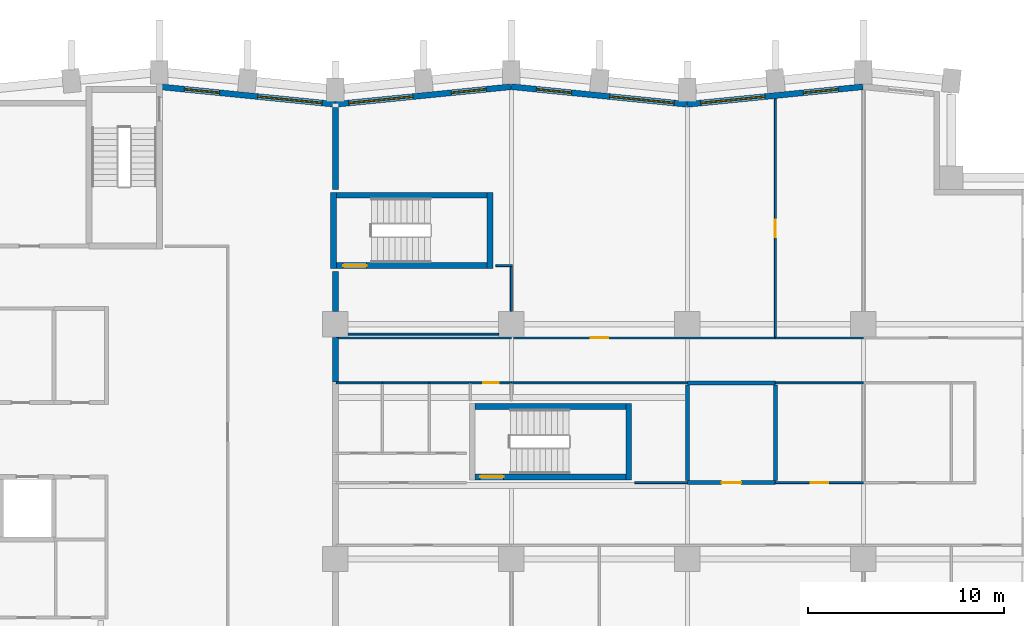
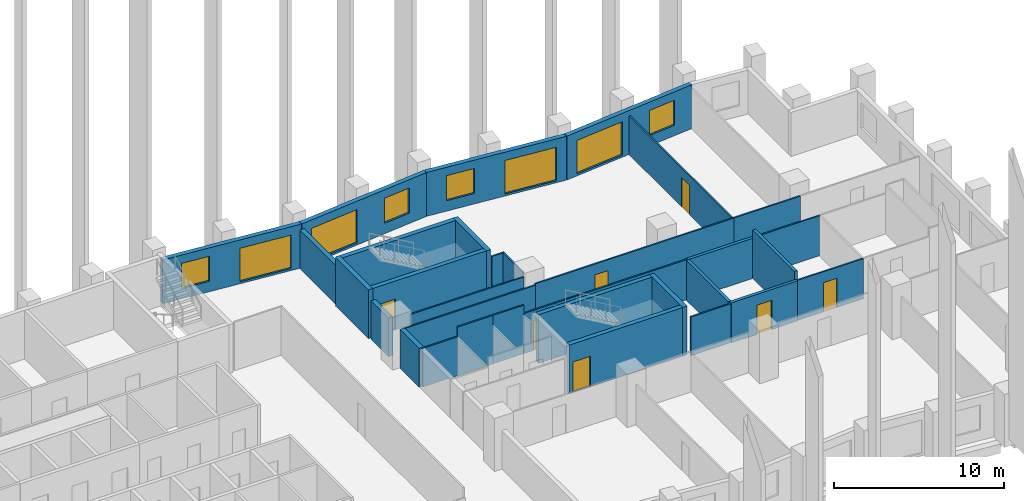
# One storey, part 8 of 12: 33 walls, 8 windows, 7 doors, 15 openings.
"""IFC4 building model written with IfcOpenShell, lengths in metres."""

from ifc_helpers import new_model, si_unit, direction, frame, frame_2d, origin, place, context, subcontext, project, spatial, rectangle, extrude, material, layer, layer_set, type_object, element, fill, save


model = new_model("IFC4")

# Units and contexts
model_context = context("Model", 3, precision=1e-05, world=origin(), true_north=direction((0.0, 1.0)))
body_context = subcontext(model_context, "Body", "Model", "MODEL_VIEW")
ifc_project = project(units=[si_unit("LENGTHUNIT", "METRE"), si_unit("AREAUNIT", "SQUARE_METRE"), si_unit("VOLUMEUNIT", "CUBIC_METRE"), si_unit("PLANEANGLEUNIT", "RADIAN"), si_unit("MASSUNIT", "GRAM", prefix="KILO")], contexts=[model_context])

# Site, building, storey
site_placement = place(None, origin())
site = spatial("IfcSite", under=ifc_project, at=site_placement, CompositionType="ELEMENT")
building_placement = place(site_placement, origin())
building = spatial("IfcBuilding", under=site, at=building_placement, Name="Brondeck Convention Tower", CompositionType="ELEMENT")
storey_placement = place(building_placement, frame((0.0, 0.0, 88.5)))
storey = spatial("IfcBuildingStorey", under=building, at=storey_placement, Name="L20", CompositionType="ELEMENT", Elevation=88.5)

# Walls
ifc_material_1 = material(Name="Concrete compartment wall C30/37", Category="concrete")
ifc_layer_1 = layer(ifc_material_1, 0.300048828125)
ifc_layer_set_1 = layer_set([ifc_layer_1], Name="Compartment wall 300")
wall_type_1 = type_object("IfcWallType", Name="Compartment wall 300", PredefinedType="PARTITIONING", material=ifc_layer_set_1)
wall_1_placement = place(storey_placement, frame((36.0, 48.050048828125, 0.0), z_axis=(0.0, 0.0, 1.0), x_axis=(0.0, 1.0, 0.0)))
element("IfcWall", 1, at=wall_1_placement, inside=storey, type_object=wall_type_1, Name="FLR-L20-W068", PredefinedType="PARTITIONING", context=body_context, shape_type="SweptSolid", body=[
    extrude(rectangle(XDim=2.280029296875, YDim=0.300048828125, at=frame_2d((1.14013671875, 0.0))), origin(), (0.0, 0.0, 1.0), 2.780029296875),
])
wall_2_placement = place(storey_placement, frame((36.0, 51.655029296875, 0.0), z_axis=(0.0, 0.0, 1.0), x_axis=(0.0, 1.0, 0.0)))
element("IfcWall", 2, at=wall_2_placement, inside=storey, type_object=wall_type_1, Name="FLR-L20-W074", PredefinedType="PARTITIONING", context=body_context, shape_type="SweptSolid", body=[
    extrude(rectangle(XDim=2.044921875, YDim=0.300048828125, at=frame_2d((1.0224609375, 0.0))), origin(), (0.0, 0.0, 1.0), 2.780029296875),
])
wall_3_placement = place(storey_placement, frame((36.0, 57.89990234375, 0.0), z_axis=(0.0, 0.0, 1.0), x_axis=(0.0, 1.0, 0.0)))
element("IfcWall", 3, at=wall_3_placement, inside=storey, type_object=wall_type_1, Name="FLR-L20-W079", PredefinedType="PARTITIONING", context=body_context, shape_type="SweptSolid", body=[
    extrude(rectangle(XDim=4.175537109375, YDim=0.300048828125, at=frame_2d((2.087890625, 0.0))), origin(), (0.0, 0.0, 1.0), 2.780029296875),
])

# Wall, openings, windows
ifc_material_2 = material(Name="Precast concrete C50/60 bronze finish", Category="concrete")
ifc_layer_2 = layer(ifc_material_2, 0.070068359375, Name="Bronze precast facing")
ifc_material_3 = material(Name="Mineral wool")
ifc_layer_3 = layer(ifc_material_3, 0.159912109375, Name="Insulation")
ifc_material_4 = material(Name="Concrete C35/45", Category="concrete")
ifc_layer_4 = layer(ifc_material_4, 0.070068359375, Name="Backing")
ifc_layer_set_2 = layer_set([ifc_layer_2, ifc_layer_3, ifc_layer_4], Name="External infill wall, precast concrete C50/60 bronze facing")
wall_type_2 = type_object("IfcWallType", Name="External infill wall, precast concrete C50/60 bronze facing", PredefinedType="SOLIDWALL", material=ifc_layer_set_2)
wall_4_placement = place(storey_placement, frame((53.985107421875, 62.244873046875, 0.0), z_axis=(0.0, 0.0, 1.0), x_axis=(0.995037993253, 0.099495688264, 0.0)))
wall_4 = element("IfcWall", 4, at=wall_4_placement, inside=storey, type_object=wall_type_2, Name="ENV-EW-L20-P0-A-N-13", PredefinedType="SOLIDWALL", context=body_context, shape_type="SweptSolid", body=[
    extrude(rectangle(XDim=9.030029296875, YDim=0.300048828125, at=frame_2d((4.51513671875, 0.0))), origin(), (0.0, 0.0, 1.0), 3.14990234375),
])
opening_1_placement = place(wall_4_placement, frame((0.701171875, 0.0, 0.14990234375)))
opening_1 = element("IfcOpeningElement", 5, at=opening_1_placement, cuts=wall_4, Name="Opening W9", PredefinedType="OPENING", context=body_context, shape_type="SweptSolid", body=[
    extrude(rectangle(XDim=3.300048828125, YDim=2.39990234375, at=frame_2d((1.64990234375, 1.199951171875))), frame((0.0, 0.159912109375, 0.0), z_axis=(0.0, -1.0, 0.0), x_axis=(1.0, 0.0, 0.0)), (0.0, 0.0, 1.0), 0.320068359375),
])
opening_2_placement = place(wall_4_placement, frame((5.9736328125, 0.0, 0.75)))
opening_2 = element("IfcOpeningElement", 6, at=opening_2_placement, cuts=wall_4, Name="Opening W10", PredefinedType="OPENING", context=body_context, shape_type="SweptSolid", body=[
    extrude(rectangle(XDim=1.800048828125, YDim=1.800048828125, at=frame_2d((0.89990234375, 0.89990234375))), frame((0.0, 0.159912109375, 0.0), z_axis=(0.0, -1.0, 0.0), x_axis=(1.0, 0.0, 0.0)), (0.0, 0.0, 1.0), 0.320068359375),
])
ifc_material_5 = material(Name="Bronze tinted double glazing", Category="glass")
window_type_1 = type_object("IfcWindowType", Name="Glazed flute window, bronze tinted", PartitioningType="SINGLE_PANEL", PredefinedType="WINDOW", material=ifc_material_5)
window_1_placement = place(opening_1_placement, origin())
window_1 = element("IfcWindow", 7, at=window_1_placement, inside=storey, type_object=window_type_1, Name="ENV-WN-L20-P0-A-N-12", OverallHeight=2.39990234375, OverallWidth=3.300048828125, PartitioningType="SINGLE_PANEL", PredefinedType="WINDOW", context=body_context, shape_type="SweptSolid", body=[
    extrude(rectangle(XDim=3.300048828125, YDim=2.39990234375, at=frame_2d((1.64990234375, 1.199951171875))), frame((0.0, 0.030029296875, 0.0), z_axis=(0.0, -1.0, 0.0), x_axis=(1.0, 0.0, 0.0)), (0.0, 0.0, 1.0), 0.06005859375),
])
fill(opening_1, window_1)
window_type_2 = type_object("IfcWindowType", Name="Punched window, bronze tinted", PartitioningType="SINGLE_PANEL", PredefinedType="WINDOW", material=ifc_material_5)
window_2_placement = place(opening_2_placement, origin())
window_2 = element("IfcWindow", 8, at=window_2_placement, inside=storey, type_object=window_type_2, Name="ENV-WN-L20-P0-A-N-13", OverallHeight=1.800048828125, OverallWidth=1.800048828125, PartitioningType="SINGLE_PANEL", PredefinedType="WINDOW", context=body_context, shape_type="SweptSolid", body=[
    extrude(rectangle(XDim=1.800048828125, YDim=1.800048828125, at=frame_2d((0.89990234375, 0.89990234375))), frame((0.0, 0.030029296875, 0.0), z_axis=(0.0, -1.0, 0.0), x_axis=(1.0, 0.0, 0.0)), (0.0, 0.0, 1.0), 0.06005859375),
])
fill(opening_2, window_2)

wall_5_placement = place(storey_placement, frame((44.985107421875, 63.147705078125, 0.0), z_axis=(0.0, 0.0, 1.0), x_axis=(0.995037993253, -0.099495688264, 0.0)))
wall_5 = element("IfcWall", 9, at=wall_5_placement, inside=storey, type_object=wall_type_2, Name="ENV-EW-L20-P0-A-N-11", PredefinedType="SOLIDWALL", context=body_context, shape_type="SweptSolid", body=[
    extrude(rectangle(XDim=9.030029296875, YDim=0.300048828125, at=frame_2d((4.51513671875, 0.0))), origin(), (0.0, 0.0, 1.0), 3.14990234375),
])
opening_3_placement = place(wall_5_placement, frame((1.30126953125, 0.0, 0.75)))
opening_3 = element("IfcOpeningElement", 10, at=opening_3_placement, cuts=wall_5, Name="Opening W10", PredefinedType="OPENING", context=body_context, shape_type="SweptSolid", body=[
    extrude(rectangle(XDim=1.800048828125, YDim=1.800048828125, at=frame_2d((0.89990234375, 0.89990234375))), frame((0.0, 0.159912109375, 0.0), z_axis=(0.0, -1.0, 0.0), x_axis=(1.0, 0.0, 0.0)), (0.0, 0.0, 1.0), 0.320068359375),
])
opening_4_placement = place(wall_5_placement, frame((5.073486328125, 0.0, 0.14990234375)))
opening_4 = element("IfcOpeningElement", 11, at=opening_4_placement, cuts=wall_5, Name="Opening W9", PredefinedType="OPENING", context=body_context, shape_type="SweptSolid", body=[
    extrude(rectangle(XDim=3.300048828125, YDim=2.39990234375, at=frame_2d((1.64990234375, 1.199951171875))), frame((0.0, 0.159912109375, 0.0), z_axis=(0.0, -1.0, 0.0), x_axis=(1.0, 0.0, 0.0)), (0.0, 0.0, 1.0), 0.320068359375),
])
window_3_placement = place(opening_4_placement, origin())
window_3 = element("IfcWindow", 12, at=window_3_placement, inside=storey, type_object=window_type_1, Name="ENV-WN-L20-P0-A-N-11", OverallHeight=2.39990234375, OverallWidth=3.300048828125, PartitioningType="SINGLE_PANEL", PredefinedType="WINDOW", context=body_context, shape_type="SweptSolid", body=[
    extrude(rectangle(XDim=3.300048828125, YDim=2.39990234375, at=frame_2d((1.64990234375, 1.199951171875))), frame((0.0, 0.030029296875, 0.0), z_axis=(0.0, -1.0, 0.0), x_axis=(1.0, 0.0, 0.0)), (0.0, 0.0, 1.0), 0.06005859375),
])
fill(opening_4, window_3)
window_4_placement = place(opening_3_placement, origin())
window_4 = element("IfcWindow", 13, at=window_4_placement, inside=storey, type_object=window_type_2, Name="ENV-WN-L20-P0-A-N-10", OverallHeight=1.800048828125, OverallWidth=1.800048828125, PartitioningType="SINGLE_PANEL", PredefinedType="WINDOW", context=body_context, shape_type="SweptSolid", body=[
    extrude(rectangle(XDim=1.800048828125, YDim=1.800048828125, at=frame_2d((0.89990234375, 0.89990234375))), frame((0.0, 0.030029296875, 0.0), z_axis=(0.0, -1.0, 0.0), x_axis=(1.0, 0.0, 0.0)), (0.0, 0.0, 1.0), 0.06005859375),
])
fill(opening_3, window_4)

wall_6_placement = place(storey_placement, frame((35.985107421875, 62.244873046875, 0.0), z_axis=(0.0, 0.0, 1.0), x_axis=(0.995037993253, 0.099495688264, 0.0)))
wall_6 = element("IfcWall", 14, at=wall_6_placement, inside=storey, type_object=wall_type_2, Name="ENV-EW-L20-P0-A-N-09", PredefinedType="SOLIDWALL", context=body_context, shape_type="SweptSolid", body=[
    extrude(rectangle(XDim=9.030029296875, YDim=0.300048828125, at=frame_2d((4.51513671875, 0.0))), origin(), (0.0, 0.0, 1.0), 3.14990234375),
])
opening_5_placement = place(wall_6_placement, frame((0.701171875, 0.0, 0.14990234375)))
opening_5 = element("IfcOpeningElement", 15, at=opening_5_placement, cuts=wall_6, Name="Opening W9", PredefinedType="OPENING", context=body_context, shape_type="SweptSolid", body=[
    extrude(rectangle(XDim=3.300048828125, YDim=2.39990234375, at=frame_2d((1.64990234375, 1.199951171875))), frame((0.0, 0.159912109375, 0.0), z_axis=(0.0, -1.0, 0.0), x_axis=(1.0, 0.0, 0.0)), (0.0, 0.0, 1.0), 0.320068359375),
])
opening_6_placement = place(wall_6_placement, frame((5.9736328125, 0.0, 0.75)))
opening_6 = element("IfcOpeningElement", 16, at=opening_6_placement, cuts=wall_6, Name="Opening W10", PredefinedType="OPENING", context=body_context, shape_type="SweptSolid", body=[
    extrude(rectangle(XDim=1.800048828125, YDim=1.800048828125, at=frame_2d((0.89990234375, 0.89990234375))), frame((0.0, 0.159912109375, 0.0), z_axis=(0.0, -1.0, 0.0), x_axis=(1.0, 0.0, 0.0)), (0.0, 0.0, 1.0), 0.320068359375),
])
window_5_placement = place(opening_5_placement, origin())
window_5 = element("IfcWindow", 17, at=window_5_placement, inside=storey, type_object=window_type_1, Name="ENV-WN-L20-P0-A-N-08", OverallHeight=2.39990234375, OverallWidth=3.300048828125, PartitioningType="SINGLE_PANEL", PredefinedType="WINDOW", context=body_context, shape_type="SweptSolid", body=[
    extrude(rectangle(XDim=3.300048828125, YDim=2.39990234375, at=frame_2d((1.64990234375, 1.199951171875))), frame((0.0, 0.030029296875, 0.0), z_axis=(0.0, -1.0, 0.0), x_axis=(1.0, 0.0, 0.0)), (0.0, 0.0, 1.0), 0.06005859375),
])
fill(opening_5, window_5)
window_6_placement = place(opening_6_placement, origin())
window_6 = element("IfcWindow", 18, at=window_6_placement, inside=storey, type_object=window_type_2, Name="ENV-WN-L20-P0-A-N-09", OverallHeight=1.800048828125, OverallWidth=1.800048828125, PartitioningType="SINGLE_PANEL", PredefinedType="WINDOW", context=body_context, shape_type="SweptSolid", body=[
    extrude(rectangle(XDim=1.800048828125, YDim=1.800048828125, at=frame_2d((0.89990234375, 0.89990234375))), frame((0.0, 0.030029296875, 0.0), z_axis=(0.0, -1.0, 0.0), x_axis=(1.0, 0.0, 0.0)), (0.0, 0.0, 1.0), 0.06005859375),
])
fill(opening_6, window_6)

wall_7_placement = place(storey_placement, frame((27.07470703125, 63.138916015625, 0.0), z_axis=(0.0, 0.0, 1.0), x_axis=(0.995036108601, -0.099514534519, 0.0)))
wall_7 = element("IfcWall", 19, at=wall_7_placement, inside=storey, type_object=wall_type_2, Name="ENV-EW-L20-P0-A-N-07", PredefinedType="SOLIDWALL", context=body_context, shape_type="SweptSolid", body=[
    extrude(rectangle(XDim=8.93994140625, YDim=0.300048828125, at=frame_2d((4.469970703125, 0.0))), origin(), (0.0, 0.0, 1.0), 3.14990234375),
])
opening_7_placement = place(wall_7_placement, frame((1.211181640625, 0.0, 0.75)))
opening_7 = element("IfcOpeningElement", 20, at=opening_7_placement, cuts=wall_7, Name="Opening W10", PredefinedType="OPENING", context=body_context, shape_type="SweptSolid", body=[
    extrude(rectangle(XDim=1.800048828125, YDim=1.800048828125, at=frame_2d((0.89990234375, 0.89990234375))), frame((0.0, 0.159912109375, 0.0), z_axis=(0.0, -1.0, 0.0), x_axis=(1.0, 0.0, 0.0)), (0.0, 0.0, 1.0), 0.320068359375),
])
opening_8_placement = place(wall_7_placement, frame((4.983642578125, 0.0, 0.14990234375)))
opening_8 = element("IfcOpeningElement", 21, at=opening_8_placement, cuts=wall_7, Name="Opening W9", PredefinedType="OPENING", context=body_context, shape_type="SweptSolid", body=[
    extrude(rectangle(XDim=3.300048828125, YDim=2.39990234375, at=frame_2d((1.64990234375, 1.199951171875))), frame((0.0, 0.159912109375, 0.0), z_axis=(0.0, -1.0, 0.0), x_axis=(1.0, 0.0, 0.0)), (0.0, 0.0, 1.0), 0.320068359375),
])
window_7_placement = place(opening_8_placement, origin())
window_7 = element("IfcWindow", 22, at=window_7_placement, inside=storey, type_object=window_type_1, Name="ENV-WN-L20-P0-A-N-07", OverallHeight=2.39990234375, OverallWidth=3.300048828125, PartitioningType="SINGLE_PANEL", PredefinedType="WINDOW", context=body_context, shape_type="SweptSolid", body=[
    extrude(rectangle(XDim=3.300048828125, YDim=2.39990234375, at=frame_2d((1.64990234375, 1.199951171875))), frame((0.0, 0.030029296875, 0.0), z_axis=(0.0, -1.0, 0.0), x_axis=(1.0, 0.0, 0.0)), (0.0, 0.0, 1.0), 0.06005859375),
])
fill(opening_8, window_7)
window_8_placement = place(opening_7_placement, origin())
window_8 = element("IfcWindow", 23, at=window_8_placement, inside=storey, type_object=window_type_2, Name="ENV-WN-L20-P0-A-N-06", OverallHeight=1.800048828125, OverallWidth=1.800048828125, PartitioningType="SINGLE_PANEL", PredefinedType="WINDOW", context=body_context, shape_type="SweptSolid", body=[
    extrude(rectangle(XDim=1.800048828125, YDim=1.800048828125, at=frame_2d((0.89990234375, 0.89990234375))), frame((0.0, 0.030029296875, 0.0), z_axis=(0.0, -1.0, 0.0), x_axis=(1.0, 0.0, 0.0)), (0.0, 0.0, 1.0), 0.06005859375),
])
fill(opening_7, window_8)

# Wall, opening, door
ifc_material_6 = material(Name="Concrete block wall C16/20", Category="concrete")
ifc_layer_5 = layer(ifc_material_6, 0.199951171875)
ifc_layer_set_3 = layer_set([ifc_layer_5], Name="Plant room wall 200")
wall_type_3 = type_object("IfcWallType", Name="Plant room wall 200", PredefinedType="PARTITIONING", material=ifc_layer_set_3)
wall_8_placement = place(storey_placement, frame((54.0, 42.89990234375, 0.0), z_axis=(0.0, 0.0, 1.0), x_axis=(1.0, 0.0, 0.0)))
wall_8 = element("IfcWall", 24, at=wall_8_placement, inside=storey, type_object=wall_type_3, Name="FLR-L20-W041", PredefinedType="PARTITIONING", context=body_context, shape_type="SweptSolid", body=[
    extrude(rectangle(XDim=4.5, YDim=0.199951171875, at=frame_2d((2.25, 0.0))), origin(), (0.0, 0.0, 1.0), 2.8798828125),
])
opening_9_placement = place(wall_8_placement, frame((1.75, 0.0, 0.0)))
opening_9 = element("IfcOpeningElement", 25, at=opening_9_placement, cuts=wall_8, Name="Opening OF-A-007", PredefinedType="OPENING", context=body_context, shape_type="SweptSolid", body=[
    extrude(rectangle(XDim=1.0, YDim=2.10009765625, at=frame_2d((0.5, 1.050048828125))), frame((0.0, 0.10986328125, 0.0), z_axis=(0.0, -1.0, 0.0), x_axis=(1.0, 0.0, 0.0)), (0.0, 0.0, 1.0), 0.219970703125),
])
ifc_material_7 = material(Name="Steel fire door leaf", Category="steel")
door_type_1 = type_object("IfcDoorType", Name="Plant room door 1000", OperationType="NOTDEFINED", PredefinedType="DOOR", material=ifc_material_7)
door_1_placement = place(opening_9_placement, origin())
door_1 = element("IfcDoor", 26, at=door_1_placement, inside=storey, type_object=door_type_1, Name="Door OF-A-007", OperationType="SINGLE_SWING_RIGHT", OverallHeight=2.10009765625, OverallWidth=1.0, PredefinedType="DOOR", context=body_context, shape_type="SweptSolid", body=[
    extrude(rectangle(XDim=1.0, YDim=2.10009765625, at=frame_2d((0.5, 1.050048828125))), frame((0.0, 0.02490234375, 0.0), z_axis=(0.0, -1.0, 0.0), x_axis=(1.0, 0.0, 0.0)), (0.0, 0.0, 1.0), 0.050048828125),
])
fill(opening_9, door_1)

# Walls
wall_9_placement = place(storey_placement, frame((54.0, 43.0, 0.0), z_axis=(0.0, 0.0, 1.0), x_axis=(0.0, 1.0, 0.0)))
element("IfcWall", 27, at=wall_9_placement, inside=storey, type_object=wall_type_3, Name="FLR-L20-W047", PredefinedType="PARTITIONING", context=body_context, shape_type="SweptSolid", body=[
    extrude(rectangle(XDim=4.89990234375, YDim=0.199951171875, at=frame_2d((2.449951171875, 0.0))), origin(), (0.0, 0.0, 1.0), 2.8798828125),
])
wall_10_placement = place(storey_placement, frame((58.5, 47.89990234375, 0.0), z_axis=(0.0, 0.0, 1.0), x_axis=(0.0, -1.0, 0.0)))
element("IfcWall", 28, at=wall_10_placement, inside=storey, type_object=wall_type_3, Name="FLR-L20-W052", PredefinedType="PARTITIONING", context=body_context, shape_type="SweptSolid", body=[
    extrude(rectangle(XDim=4.89990234375, YDim=0.199951171875, at=frame_2d((2.449951171875, 0.0))), origin(), (0.0, 0.0, 1.0), 3.47998046875),
])
wall_11_placement = place(storey_placement, frame((58.5, 48.0, 0.0), z_axis=(0.0, 0.0, 1.0), x_axis=(-1.0, 0.0, 0.0)))
element("IfcWall", 29, at=wall_11_placement, inside=storey, type_object=wall_type_3, Name="FLR-L20-W064", PredefinedType="PARTITIONING", context=body_context, shape_type="SweptSolid", body=[
    extrude(rectangle(XDim=4.5, YDim=0.199951171875, at=frame_2d((2.25, 0.0))), origin(), (0.0, 0.0, 1.0), 2.8798828125),
])
ifc_material_8 = material(Name="Gypsum board partition on steel studs", Category="steel")
ifc_layer_6 = layer(ifc_material_8, 0.10009765625)
ifc_layer_set_4 = layer_set([ifc_layer_6], Name="Room partition 100")
wall_type_4 = type_object("IfcWallType", Name="Room partition 100", PredefinedType="PARTITIONING", material=ifc_layer_set_4)
wall_12_placement = place(storey_placement, frame((51.300048828125, 42.89990234375, 0.0), z_axis=(0.0, 0.0, 1.0), x_axis=(1.0, 0.0, 0.0)))
element("IfcWall", 30, at=wall_12_placement, inside=storey, type_object=wall_type_4, Name="FLR-L20-W040", PredefinedType="PARTITIONING", context=body_context, shape_type="SweptSolid", body=[
    extrude(rectangle(XDim=2.699951171875, YDim=0.10009765625, at=frame_2d((1.35009765625, 0.0))), origin(), (0.0, 0.0, 1.0), 2.780029296875),
])

# Wall, opening, door
wall_13_placement = place(storey_placement, frame((58.5, 42.89990234375, 0.0), z_axis=(0.0, 0.0, 1.0), x_axis=(1.0, 0.0, 0.0)))
wall_13 = element("IfcWall", 31, at=wall_13_placement, inside=storey, type_object=wall_type_4, Name="FLR-L20-W042", PredefinedType="PARTITIONING", context=body_context, shape_type="SweptSolid", body=[
    extrude(rectangle(XDim=4.5, YDim=0.10009765625, at=frame_2d((2.25, 0.0))), origin(), (0.0, 0.0, 1.0), 2.8798828125),
])
opening_10_placement = place(wall_13_placement, frame((1.800048828125, 0.0, 0.0)))
opening_10 = element("IfcOpeningElement", 32, at=opening_10_placement, cuts=wall_13, Name="Opening OF-A-008", PredefinedType="OPENING", context=body_context, shape_type="SweptSolid", body=[
    extrude(rectangle(XDim=0.89990234375, YDim=2.10009765625, at=frame_2d((0.449951171875, 1.050048828125))), frame((0.0, 0.06005859375, 0.0), z_axis=(0.0, -1.0, 0.0), x_axis=(1.0, 0.0, 0.0)), (0.0, 0.0, 1.0), 0.1201171875),
])
ifc_material_9 = material(Name="Solid timber door leaf", Category="wood")
door_type_2 = type_object("IfcDoorType", Name="Single door 900", OperationType="NOTDEFINED", PredefinedType="DOOR", material=ifc_material_9)
door_2_placement = place(opening_10_placement, origin())
door_2 = element("IfcDoor", 33, at=door_2_placement, inside=storey, type_object=door_type_2, Name="Door OF-A-008", OperationType="SINGLE_SWING_LEFT", OverallHeight=2.10009765625, OverallWidth=0.89990234375, PredefinedType="DOOR", context=body_context, shape_type="SweptSolid", body=[
    extrude(rectangle(XDim=0.89990234375, YDim=2.10009765625, at=frame_2d((0.449951171875, 1.050048828125))), frame((0.0, 0.02490234375, 0.0), z_axis=(0.0, -1.0, 0.0), x_axis=(1.0, 0.0, 0.0)), (0.0, 0.0, 1.0), 0.050048828125),
])
fill(opening_10, door_2)

# Walls
wall_14_placement = place(storey_placement, frame((38.39990234375, 48.0, 0.0), z_axis=(0.0, 0.0, 1.0), x_axis=(-1.0, 0.0, 0.0)))
element("IfcWall", 34, at=wall_14_placement, inside=storey, type_object=wall_type_4, Name="FLR-L20-W059", PredefinedType="PARTITIONING", context=body_context, shape_type="SweptSolid", body=[
    extrude(rectangle(XDim=2.349853515625, YDim=0.10009765625, at=frame_2d((1.1748046875, 0.0))), origin(), (0.0, 0.0, 1.0), 2.780029296875),
])
wall_15_placement = place(storey_placement, frame((40.800048828125, 48.0, 0.0), z_axis=(0.0, 0.0, 1.0), x_axis=(-1.0, 0.0, 0.0)))
element("IfcWall", 35, at=wall_15_placement, inside=storey, type_object=wall_type_4, Name="FLR-L20-W060", PredefinedType="PARTITIONING", context=body_context, shape_type="SweptSolid", body=[
    extrude(rectangle(XDim=2.400146484375, YDim=0.10009765625, at=frame_2d((1.2001953125, 0.0))), origin(), (0.0, 0.0, 1.0), 3.47998046875),
])
wall_16_placement = place(storey_placement, frame((42.89990234375, 48.0, 0.0), z_axis=(0.0, 0.0, 1.0), x_axis=(-1.0, 0.0, 0.0)))
element("IfcWall", 36, at=wall_16_placement, inside=storey, type_object=wall_type_4, Name="FLR-L20-W061", PredefinedType="PARTITIONING", context=body_context, shape_type="SweptSolid", body=[
    extrude(rectangle(XDim=2.099853515625, YDim=0.10009765625, at=frame_2d((1.0498046875, 0.0))), origin(), (0.0, 0.0, 1.0), 3.47998046875),
])

# Wall, opening, door
wall_17_placement = place(storey_placement, frame((45.0, 48.0, 0.0), z_axis=(0.0, 0.0, 1.0), x_axis=(-1.0, 0.0, 0.0)))
wall_17 = element("IfcWall", 37, at=wall_17_placement, inside=storey, type_object=wall_type_4, Name="FLR-L20-W062", PredefinedType="PARTITIONING", context=body_context, shape_type="SweptSolid", body=[
    extrude(rectangle(XDim=2.10009765625, YDim=0.10009765625, at=frame_2d((1.050048828125, 0.0))), origin(), (0.0, 0.0, 1.0), 2.8798828125),
])
opening_11_placement = place(wall_17_placement, frame((0.64990234375, 0.0, 0.0)))
opening_11 = element("IfcOpeningElement", 38, at=opening_11_placement, cuts=wall_17, Name="Opening OF-A-006", PredefinedType="OPENING", context=body_context, shape_type="SweptSolid", body=[
    extrude(rectangle(XDim=0.800048828125, YDim=2.10009765625, at=frame_2d((0.39990234375, 1.050048828125))), frame((0.0, 0.06005859375, 0.0), z_axis=(0.0, -1.0, 0.0), x_axis=(1.0, 0.0, 0.0)), (0.0, 0.0, 1.0), 0.1201171875),
])
ifc_material_10 = material(Name="Steel service door leaf", Category="steel")
door_type_3 = type_object("IfcDoorType", Name="Service door 800", OperationType="NOTDEFINED", PredefinedType="DOOR", material=ifc_material_10)
door_3_placement = place(opening_11_placement, origin())
door_3 = element("IfcDoor", 39, at=door_3_placement, inside=storey, type_object=door_type_3, Name="Door OF-A-006", OperationType="SINGLE_SWING_LEFT", OverallHeight=2.10009765625, OverallWidth=0.800048828125, PredefinedType="DOOR", context=body_context, shape_type="SweptSolid", body=[
    extrude(rectangle(XDim=0.800048828125, YDim=2.10009765625, at=frame_2d((0.39990234375, 1.050048828125))), frame((0.0, 0.02490234375, 0.0), z_axis=(0.0, -1.0, 0.0), x_axis=(1.0, 0.0, 0.0)), (0.0, 0.0, 1.0), 0.050048828125),
])
fill(opening_11, door_3)

# Walls
wall_18_placement = place(storey_placement, frame((54.0, 48.0, 0.0), z_axis=(0.0, 0.0, 1.0), x_axis=(-1.0, 0.0, 0.0)))
element("IfcWall", 40, at=wall_18_placement, inside=storey, type_object=wall_type_4, Name="FLR-L20-W063", PredefinedType="PARTITIONING", context=body_context, shape_type="SweptSolid", body=[
    extrude(rectangle(XDim=9.0, YDim=0.10009765625, at=frame_2d((4.5, 0.0))), origin(), (0.0, 0.0, 1.0), 2.8798828125),
])
wall_19_placement = place(storey_placement, frame((63.0, 48.0, 0.0), z_axis=(0.0, 0.0, 1.0), x_axis=(-1.0, 0.0, 0.0)))
element("IfcWall", 41, at=wall_19_placement, inside=storey, type_object=wall_type_4, Name="FLR-L20-W065", PredefinedType="PARTITIONING", context=body_context, shape_type="SweptSolid", body=[
    extrude(rectangle(XDim=4.5, YDim=0.10009765625, at=frame_2d((2.25, 0.0))), origin(), (0.0, 0.0, 1.0), 2.8798828125),
])
wall_20_placement = place(storey_placement, frame((36.050048828125, 50.300048828125, 0.0), z_axis=(0.0, 0.0, 1.0), x_axis=(1.0, 0.0, 0.0)))
element("IfcWall", 42, at=wall_20_placement, inside=storey, type_object=wall_type_4, Name="FLR-L20-W069", PredefinedType="PARTITIONING", context=body_context, shape_type="SweptSolid", body=[
    extrude(rectangle(XDim=8.949951171875, YDim=0.10009765625, at=frame_2d((4.47509765625, 0.0))), origin(), (0.0, 0.0, 1.0), 2.780029296875),
])

# Wall, opening, door
wall_21_placement = place(storey_placement, frame((45.0, 50.300048828125, 0.0), z_axis=(0.0, 0.0, 1.0), x_axis=(1.0, 0.0, 0.0)))
wall_21 = element("IfcWall", 43, at=wall_21_placement, inside=storey, type_object=wall_type_4, Name="FLR-L20-W070", PredefinedType="PARTITIONING", context=body_context, shape_type="SweptSolid", body=[
    extrude(rectangle(XDim=13.5, YDim=0.10009765625, at=frame_2d((6.75, 0.0))), origin(), (0.0, 0.0, 1.0), 2.8798828125),
])
opening_12_placement = place(wall_21_placement, frame((4.050048828125, 0.0, 0.0)))
opening_12 = element("IfcOpeningElement", 44, at=opening_12_placement, cuts=wall_21, Name="Opening OF-A-015", PredefinedType="OPENING", context=body_context, shape_type="SweptSolid", body=[
    extrude(rectangle(XDim=0.89990234375, YDim=2.10009765625, at=frame_2d((0.449951171875, 1.050048828125))), frame((0.0, 0.06005859375, 0.0), z_axis=(0.0, -1.0, 0.0), x_axis=(1.0, 0.0, 0.0)), (0.0, 0.0, 1.0), 0.1201171875),
])
door_4_placement = place(opening_12_placement, origin())
door_4 = element("IfcDoor", 45, at=door_4_placement, inside=storey, type_object=door_type_2, Name="Door OF-A-015", OperationType="SINGLE_SWING_LEFT", OverallHeight=2.10009765625, OverallWidth=0.89990234375, PredefinedType="DOOR", context=body_context, shape_type="SweptSolid", body=[
    extrude(rectangle(XDim=0.89990234375, YDim=2.10009765625, at=frame_2d((0.449951171875, 1.050048828125))), frame((0.0, 0.02490234375, 0.0), z_axis=(0.0, -1.0, 0.0), x_axis=(1.0, 0.0, 0.0)), (0.0, 0.0, 1.0), 0.050048828125),
])
fill(opening_12, door_4)

# Walls
wall_22_placement = place(storey_placement, frame((58.5, 50.300048828125, 0.0), z_axis=(0.0, 0.0, 1.0), x_axis=(1.0, 0.0, 0.0)))
element("IfcWall", 46, at=wall_22_placement, inside=storey, type_object=wall_type_4, Name="FLR-L20-W071", PredefinedType="PARTITIONING", context=body_context, shape_type="SweptSolid", body=[
    extrude(rectangle(XDim=4.5, YDim=0.10009765625, at=frame_2d((2.25, 0.0))), origin(), (0.0, 0.0, 1.0), 2.8798828125),
])
wall_23_placement = place(storey_placement, frame((44.344970703125, 50.5, 0.0), z_axis=(0.0, 0.0, 1.0), x_axis=(-1.0, 0.0, 0.0)))
element("IfcWall", 47, at=wall_23_placement, inside=storey, type_object=wall_type_4, Name="FLR-L20-W073", PredefinedType="PARTITIONING", context=body_context, shape_type="SweptSolid", body=[
    extrude(rectangle(XDim=7.68994140625, YDim=0.10009765625, at=frame_2d((3.844970703125, 0.0))), origin(), (0.0, 0.0, 1.0), 3.47998046875),
])
wall_24_placement = place(storey_placement, frame((45.0, 53.949951171875, 0.0), z_axis=(0.0, 0.0, 1.0), x_axis=(0.0, -1.0, 0.0)))
element("IfcWall", 48, at=wall_24_placement, inside=storey, type_object=wall_type_4, Name="FLR-L20-W075", PredefinedType="PARTITIONING", context=body_context, shape_type="SweptSolid", body=[
    extrude(rectangle(XDim=2.294921875, YDim=0.10009765625, at=frame_2d((1.1474609375, 0.0))), origin(), (0.0, 0.0, 1.0), 2.8798828125),
])
wall_25_placement = place(storey_placement, frame((44.199951171875, 54.0, 0.0), z_axis=(0.0, 0.0, 1.0), x_axis=(1.0, 0.0, 0.0)))
element("IfcWall", 49, at=wall_25_placement, inside=storey, type_object=wall_type_4, Name="FLR-L20-W076", PredefinedType="PARTITIONING", context=body_context, shape_type="SweptSolid", body=[
    extrude(rectangle(XDim=0.85009765625, YDim=0.10009765625, at=frame_2d((0.425048828125, 0.0))), origin(), (0.0, 0.0, 1.0), 2.8798828125),
])

# Wall, opening, door
wall_26_placement = place(storey_placement, frame((58.5, 62.525390625, 0.0), z_axis=(0.0, 0.0, 1.0), x_axis=(0.0, -1.0, 0.0)))
wall_26 = element("IfcWall", 50, at=wall_26_placement, inside=storey, type_object=wall_type_4, Name="FLR-L20-W080", PredefinedType="PARTITIONING", context=body_context, shape_type="SweptSolid", body=[
    extrude(rectangle(XDim=12.17529296875, YDim=0.10009765625, at=frame_2d((6.087646484375, 0.0))), origin(), (0.0, 0.0, 1.0), 2.780029296875),
])
opening_13_placement = place(wall_26_placement, frame((6.180419921875, 0.0, 0.0)))
opening_13 = element("IfcOpeningElement", 51, at=opening_13_placement, cuts=wall_26, Name="Opening OF-A-016", PredefinedType="OPENING", context=body_context, shape_type="SweptSolid", body=[
    extrude(rectangle(XDim=0.89990234375, YDim=2.10009765625, at=frame_2d((0.449951171875, 1.050048828125))), frame((0.0, 0.06005859375, 0.0), z_axis=(0.0, -1.0, 0.0), x_axis=(1.0, 0.0, 0.0)), (0.0, 0.0, 1.0), 0.1201171875),
])
door_5_placement = place(opening_13_placement, origin())
door_5 = element("IfcDoor", 52, at=door_5_placement, inside=storey, type_object=door_type_2, Name="Door OF-A-016", OperationType="SINGLE_SWING_LEFT", OverallHeight=2.10009765625, OverallWidth=0.89990234375, PredefinedType="DOOR", context=body_context, shape_type="SweptSolid", body=[
    extrude(rectangle(XDim=0.89990234375, YDim=2.10009765625, at=frame_2d((0.449951171875, 1.050048828125))), frame((0.0, 0.02490234375, 0.0), z_axis=(0.0, -1.0, 0.0), x_axis=(1.0, 0.0, 0.0)), (0.0, 0.0, 1.0), 0.050048828125),
])
fill(opening_13, door_5)

ifc_material_11 = material(Name="Concrete C70/85", Category="concrete")
ifc_layer_7 = layer(ifc_material_11, 0.300048828125)
ifc_layer_set_5 = layer_set([ifc_layer_7], Name="Stair enclosure wall 300 Concrete C70/85")
wall_type_5 = type_object("IfcWallType", Name="Stair enclosure wall 300 Concrete C70/85", PredefinedType="SHEAR", material=ifc_layer_set_5)
wall_27_placement = place(storey_placement, frame((43.14990234375, 43.199951171875, 0.0), z_axis=(0.0, 0.0, 1.0), x_axis=(1.0, 0.0, 0.0)))
wall_27 = element("IfcWall", 53, at=wall_27_placement, inside=storey, type_object=wall_type_5, Name="L20 core wall", PredefinedType="SHEAR", context=body_context, shape_type="SweptSolid", body=[
    extrude(rectangle(XDim=7.7001953125, YDim=0.300048828125, at=frame_2d((3.85009765625, 0.0))), origin(), (0.0, 0.0, 1.0), 3.5),
])
opening_14_placement = place(wall_27_placement, frame((0.25, 0.0, 0.0)))
opening_14 = element("IfcOpeningElement", 54, at=opening_14_placement, cuts=wall_27, Name="Opening C14-21", PredefinedType="OPENING", context=body_context, shape_type="SweptSolid", body=[
    extrude(rectangle(XDim=1.199951171875, YDim=2.199951171875, at=frame_2d((0.60009765625, 1.10009765625))), frame((0.0, 0.159912109375, 0.0), z_axis=(0.0, -1.0, 0.0), x_axis=(1.0, 0.0, 0.0)), (0.0, 0.0, 1.0), 0.320068359375),
])
ifc_material_12 = material(Name="Steel fire door", Category="steel")
door_type_4 = type_object("IfcDoorType", Name="Stair door 1200x2200 EI 90", OperationType="NOTDEFINED", PredefinedType="DOOR", material=ifc_material_12)
door_6_placement = place(opening_14_placement, origin())
door_6 = element("IfcDoor", 55, at=door_6_placement, inside=storey, type_object=door_type_4, Name="L20 Stair door ST-AF", OperationType="SINGLE_SWING_RIGHT", OverallHeight=2.199951171875, OverallWidth=1.199951171875, PredefinedType="DOOR", context=body_context, shape_type="SweptSolid", body=[
    extrude(rectangle(XDim=1.199951171875, YDim=2.199951171875, at=frame_2d((0.60009765625, 1.10009765625))), frame((0.0, 0.02490234375, 0.0), z_axis=(0.0, -1.0, 0.0), x_axis=(1.0, 0.0, 0.0)), (0.0, 0.0, 1.0), 0.050048828125),
])
fill(opening_14, door_6)

# Wall
wall_28_placement = place(storey_placement, frame((43.14990234375, 46.800048828125, 0.0), z_axis=(0.0, 0.0, 1.0), x_axis=(1.0, 0.0, 0.0)))
element("IfcWall", 56, at=wall_28_placement, inside=storey, type_object=wall_type_5, Name="L20 core wall", PredefinedType="SHEAR", context=body_context, shape_type="SweptSolid", body=[
    extrude(rectangle(XDim=7.7001953125, YDim=0.300048828125, at=frame_2d((3.85009765625, 0.0))), origin(), (0.0, 0.0, 1.0), 3.5),
])

# Wall, opening, door
wall_29_placement = place(storey_placement, frame((36.050048828125, 54.0, 0.0), z_axis=(0.0, 0.0, 1.0), x_axis=(1.0, 0.0, 0.0)))
wall_29 = element("IfcWall", 57, at=wall_29_placement, inside=storey, type_object=wall_type_5, Name="L20 core wall", PredefinedType="SHEAR", context=body_context, shape_type="SweptSolid", body=[
    extrude(rectangle(XDim=7.699951171875, YDim=0.300048828125, at=frame_2d((3.85009765625, 0.0))), origin(), (0.0, 0.0, 1.0), 3.5),
])
opening_15_placement = place(wall_29_placement, frame((0.35009765625, 0.0, 0.0)))
opening_15 = element("IfcOpeningElement", 58, at=opening_15_placement, cuts=wall_29, Name="Opening C14-20", PredefinedType="OPENING", context=body_context, shape_type="SweptSolid", body=[
    extrude(rectangle(XDim=1.199951171875, YDim=2.199951171875, at=frame_2d((0.60009765625, 1.10009765625))), frame((0.0, 0.159912109375, 0.0), z_axis=(0.0, -1.0, 0.0), x_axis=(1.0, 0.0, 0.0)), (0.0, 0.0, 1.0), 0.320068359375),
])
door_7_placement = place(opening_15_placement, origin())
door_7 = element("IfcDoor", 59, at=door_7_placement, inside=storey, type_object=door_type_4, Name="L20 Stair door ST-AE", OperationType="SINGLE_SWING_LEFT", OverallHeight=2.199951171875, OverallWidth=1.199951171875, PredefinedType="DOOR", context=body_context, shape_type="SweptSolid", body=[
    extrude(rectangle(XDim=1.199951171875, YDim=2.199951171875, at=frame_2d((0.60009765625, 1.10009765625))), frame((0.0, 0.02490234375, 0.0), z_axis=(0.0, -1.0, 0.0), x_axis=(1.0, 0.0, 0.0)), (0.0, 0.0, 1.0), 0.050048828125),
])
fill(opening_15, door_7)

# Walls
wall_30_placement = place(storey_placement, frame((36.050048828125, 57.60009765625, 0.0), z_axis=(0.0, 0.0, 1.0), x_axis=(1.0, 0.0, 0.0)))
element("IfcWall", 60, at=wall_30_placement, inside=storey, type_object=wall_type_5, Name="L20 core wall", PredefinedType="SHEAR", context=body_context, shape_type="SweptSolid", body=[
    extrude(rectangle(XDim=7.699951171875, YDim=0.300048828125, at=frame_2d((3.85009765625, 0.0))), origin(), (0.0, 0.0, 1.0), 3.5),
])
for number, where, z_axis, x_axis, name in (
    (61, (35.89990234375, 53.85009765625, 0.0), (0.0, 0.0, 1.0), (0.0, 1.0, 0.0), "L20 core wall"),
    (62, (43.89990234375, 53.85009765625, 0.0), (0.0, 0.0, 1.0), (0.0, 1.0, 0.0), "L20 core wall"),
    (63, (51.0, 43.050048828125, 0.0), (0.0, 0.0, 1.0), (0.0, 1.0, 0.0), "L20 core wall"),
):
    element("IfcWall", number, at=place(storey_placement, frame(where, z_axis=z_axis, x_axis=x_axis)), inside=storey, type_object=wall_type_5, Name=name, PredefinedType="SHEAR", context=body_context, shape_type="SweptSolid", body=[
        extrude(rectangle(XDim=3.89990234375, YDim=0.300048828125, at=frame_2d((1.949951171875, 0.0))), origin(), (0.0, 0.0, 1.0), 3.5),
    ])

save(model, "model.ifc")
